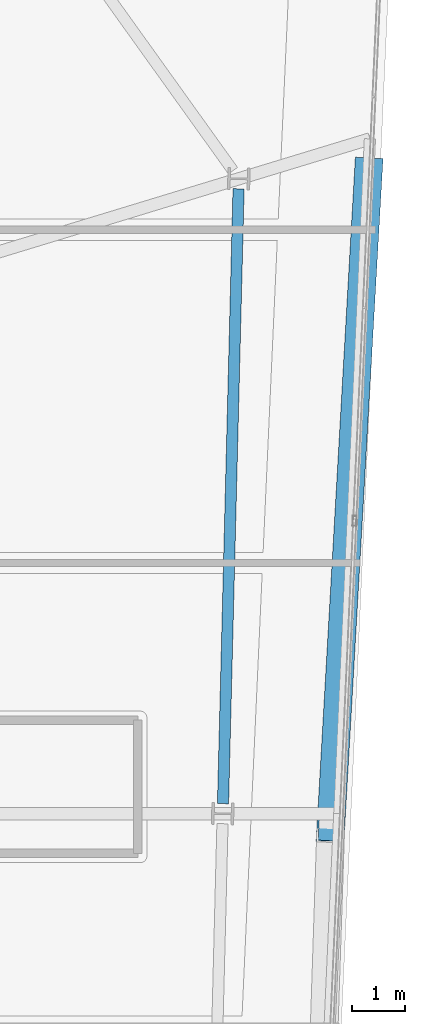
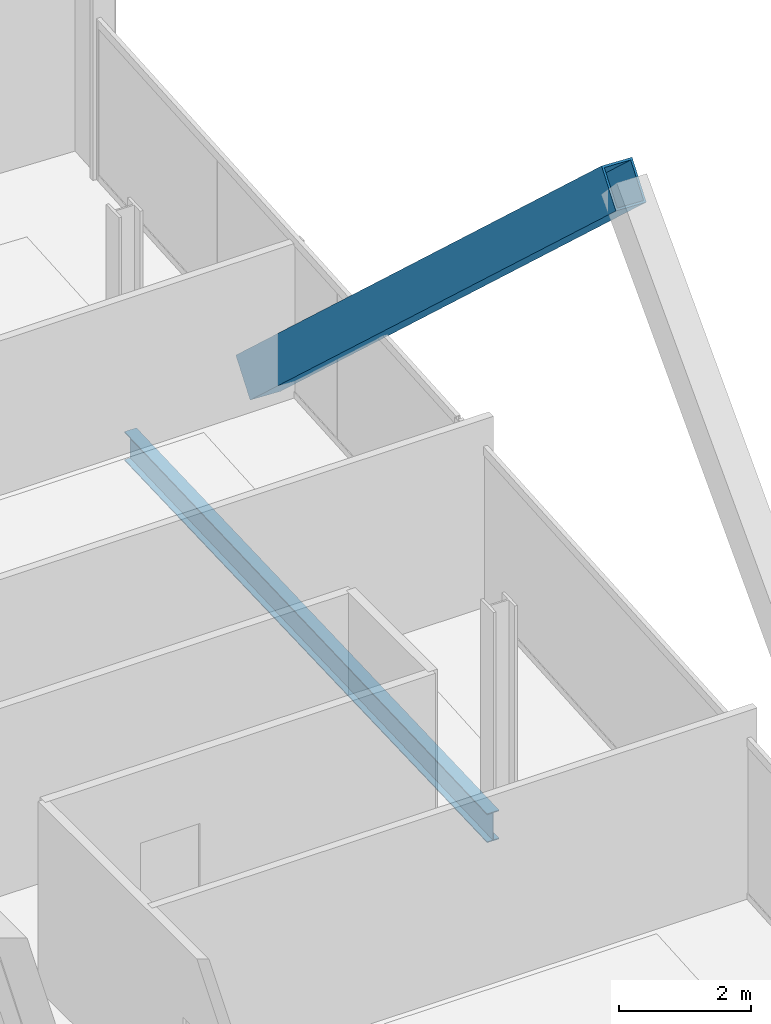
# One storey, part 12 of 26: 1 beam, 1 member.
"""IFC4 building model written with IfcOpenShell, lengths in metres."""

import ifcopenshell
import ifcopenshell.guid

model = None  # the IFC model being written
_history = None  # IfcOwnerHistory: only IFC2X3 demands one
_inside = {}  # id of a spatial element -> (the spatial element, [elements in it])
_under = {}  # id of a project, library or spatial element -> (it, [spatial elements below it])
_declared = {}  # id of a project -> (the project, [libraries it declares])
_typed = {}  # id of a type object -> (the type object, [elements of that type])
_made_of = {}  # id of a material, layer set ... -> (it, [elements and type objects made of it])


def new_model(schema):
    """Start an empty IFC model of exactly this schema.

    Asked for "IFC4X3", IfcOpenShell would pick the latest addendum, in which some entities
    have other attributes; the version numbers below select the first issue.
    IFC2X3 requires an IfcOwnerHistory on every rooted entity: one is made here for all.
    """
    global model, _history
    if schema == "IFC4X3":
        model = ifcopenshell.file(schema_version=(4, 3, 0, 0))
    else:
        model = ifcopenshell.file(schema=schema)
    _inside.clear()
    _under.clear()
    _declared.clear()
    _typed.clear()
    _made_of.clear()
    _history = None
    if model.schema == "IFC2X3":
        org = make("IfcOrganization", Name="unknown")
        user = make(
            "IfcPersonAndOrganization",
            ThePerson=make("IfcPerson", FamilyName="unknown"),
            TheOrganization=org,
        )
        app = make(
            "IfcApplication",
            ApplicationDeveloper=org,
            Version="unknown",
            ApplicationFullName="unknown",
            ApplicationIdentifier="unknown",
        )
        _history = make(
            "IfcOwnerHistory",
            OwningUser=user,
            OwningApplication=app,
            ChangeAction="ADDED",
            CreationDate=0,
        )
    return model


def make(cls, **values):
    """One entity of the class cls with the attributes given. An attribute that is None is left unset."""
    return model.create_entity(
        cls, **{name: value for name, value in values.items() if value is not None}
    )


def rooted(cls, **values):
    """An entity with a GlobalId (a new one), such as an element, a storey or a relation."""
    return make(cls, GlobalId=ifcopenshell.guid.new(), OwnerHistory=_history, **values)


def si_unit(unit_type, name, prefix=None):
    """IfcSIUnit, for example si_unit("LENGTHUNIT", "METRE", prefix="MILLI")."""
    return make("IfcSIUnit", UnitType=unit_type, Prefix=prefix, Name=name)


def assignment(units):
    """IfcUnitAssignment: the units of a project."""
    return None if units is None else make("IfcUnitAssignment", Units=units)


def point(xyz):
    """IfcCartesianPoint."""
    return None if xyz is None else make("IfcCartesianPoint", Coordinates=xyz)


def direction(xyz):
    """IfcDirection."""
    return None if xyz is None else make("IfcDirection", DirectionRatios=xyz)


def frame(location, z_axis=None, x_axis=None):
    """IfcAxis2Placement3D, a coordinate frame: its origin and axes. An axis left out is left unset."""
    return make(
        "IfcAxis2Placement3D",
        Location=point(location),
        Axis=direction(z_axis),
        RefDirection=direction(x_axis),
    )


def frame_2d(location, x_axis=None):
    """IfcAxis2Placement2D, a coordinate frame in the plane: its origin and x axis."""
    return make(
        "IfcAxis2Placement2D", Location=point(location), RefDirection=direction(x_axis)
    )


def origin():
    """The frame at (0, 0, 0) with its axes left unset."""
    return frame((0.0, 0.0, 0.0))


def origin_2d():
    """The frame at (0, 0) in the plane with its x axis left unset."""
    return frame_2d((0.0, 0.0))


def place(relative_to, where):
    """IfcLocalPlacement: puts the frame where relative to a parent placement (None: the world)."""
    return make(
        "IfcLocalPlacement", PlacementRelTo=relative_to, RelativePlacement=where
    )


def context(
    kind, dimensions, precision=None, world=None, true_north=None, identifier=None
):
    """IfcGeometricRepresentationContext, for example the 3D "Model" context."""
    return make(
        "IfcGeometricRepresentationContext",
        ContextIdentifier=identifier,
        ContextType=kind,
        CoordinateSpaceDimension=dimensions,
        Precision=precision,
        WorldCoordinateSystem=world,
        TrueNorth=true_north,
    )


def subcontext(parent, identifier, kind, view, scale=None):
    """IfcGeometricRepresentationSubContext, for example "Body" below "Model"."""
    return make(
        "IfcGeometricRepresentationSubContext",
        ContextIdentifier=identifier,
        ContextType=kind,
        ParentContext=parent,
        TargetScale=scale,
        TargetView=view,
    )


def project(units=None, contexts=None):
    """IfcProject with its units and contexts."""
    return rooted(
        "IfcProject",
        Name="project",
        RepresentationContexts=contexts,
        UnitsInContext=assignment(units),
    )


def spatial(cls, under=None, at=None, **own):
    """A site, building, storey or space (cls), placed at a placement, below another one or the project."""
    s = rooted(cls, ObjectPlacement=at, **own)
    if under is not None:
        _under.setdefault(under.id(), (under, []))[1].append(s)
    return s


def profile(cls, at=None, kind="AREA", **sizes):
    """A parametric profile (cls). Its sizes go by their IFC names, for example OverallWidth=200.0."""
    return make(cls, ProfileType=kind, Position=at, **sizes)


def hollow_rectangle(**sizes):
    """IfcRectangleHollowProfileDef."""
    return profile("IfcRectangleHollowProfileDef", **sizes)


def i_section(**sizes):
    """IfcIShapeProfileDef."""
    return profile("IfcIShapeProfileDef", **sizes)


def extrude(swept, where, along, depth):
    """IfcExtrudedAreaSolid: the profile swept, set in the frame where, extruded along a direction by depth."""
    return make(
        "IfcExtrudedAreaSolid",
        SweptArea=swept,
        Position=where,
        ExtrudedDirection=direction(along),
        Depth=depth,
    )


def shape(context_of_items, identifier, shape_type, items):
    """IfcShapeRepresentation: the items that make up one representation, for example the "Body"."""
    return make(
        "IfcShapeRepresentation",
        ContextOfItems=context_of_items,
        RepresentationIdentifier=identifier,
        RepresentationType=shape_type,
        Items=items,
    )


def material(Name=None, Category=None):
    """IfcMaterial."""
    return make("IfcMaterial", Name=Name, Category=Category)


def material_profile(
    of_material, cross_section, Name=None, Category=None, Priority=None
):
    """IfcMaterialProfile: a cross section and its material."""
    return make(
        "IfcMaterialProfile",
        Name=Name,
        Material=of_material,
        Profile=cross_section,
        Priority=Priority,
        Category=Category,
    )


def profile_set(profiles, Name=None, composite=None):
    """IfcMaterialProfileSet."""
    return make(
        "IfcMaterialProfileSet",
        Name=Name,
        MaterialProfiles=profiles,
        CompositeProfile=composite,
    )


def made_of(thing, what):
    """Note that an element or type object is made of a material, layer set ...; save() writes the relation."""
    if what is not None:
        _made_of.setdefault(what.id(), (what, []))[1].append(thing)
    return thing


def type_object(cls, material=None, **own):
    """A type object (cls), such as IfcWallType, which elements share."""
    return made_of(rooted(cls, **own), material)


def element(
    cls,
    number,
    at=None,
    inside=None,
    cuts=None,
    type_object=None,
    material=None,
    context=None,
    identifier="Body",
    shape_type=None,
    held_by="IfcProductDefinitionShape",
    body=None,
    shapes=None,
    **own,
):
    """One element of the class cls, such as IfcWall. Its Tag is "e" and its number.

    at: its placement. inside: the storey or other place that contains it. cuts: it is an
    opening in that element (IfcRelVoidsElement). A single representation is given by context,
    identifier, shape_type and body (its items); several are given by shapes. held_by: the class
    of the entity that holds the representations. save() writes the other relations.
    """
    e = rooted(cls, Tag="e%d" % number, ObjectPlacement=at, **own)
    if body is not None:
        shapes = [shape(context, identifier, shape_type, body)]
    if shapes is not None:
        e.Representation = make(held_by, Representations=shapes)
    if inside is not None:
        _inside.setdefault(inside.id(), (inside, []))[1].append(e)
    if cuts is not None:
        rooted(
            "IfcRelVoidsElement", RelatingBuildingElement=cuts, RelatedOpeningElement=e
        )
    if type_object is not None:
        _typed.setdefault(type_object.id(), (type_object, []))[1].append(e)
    return made_of(e, material)


def aggregate(whole, parts):
    """IfcRelAggregates: a whole, such as a stair, and the parts it consists of."""
    return rooted("IfcRelAggregates", RelatingObject=whole, RelatedObjects=parts)


def save(model, path):
    """Write the relations noted so far, then the file.

    IfcRelAggregates (storeys below a building ...), IfcRelContainedInSpatialStructure (elements
    in a storey), IfcRelDefinesByType, IfcRelAssociatesMaterial and IfcRelDeclares: one each for
    every whole, place, type object, material and project.
    """
    for whole, parts in _under.values():
        aggregate(whole, parts)
    for where, things in _inside.values():
        rooted(
            "IfcRelContainedInSpatialStructure",
            RelatedElements=things,
            RelatingStructure=where,
        )
    for kind, things in _typed.values():
        rooted("IfcRelDefinesByType", RelatedObjects=things, RelatingType=kind)
    for what, things in _made_of.values():
        rooted("IfcRelAssociatesMaterial", RelatedObjects=things, RelatingMaterial=what)
    for by, libraries in _declared.values():
        rooted("IfcRelDeclares", RelatingContext=by, RelatedDefinitions=libraries)
    model.write(path)


model = new_model("IFC4")

# Units and contexts
model_context = context("Model", 3, precision=1e-05, world=origin(), true_north=direction((0.0, 1.0)))
body_context = subcontext(model_context, "Body", "Model", "MODEL_VIEW")
ifc_project = project(units=[si_unit("LENGTHUNIT", "METRE"), si_unit("AREAUNIT", "SQUARE_METRE"), si_unit("VOLUMEUNIT", "CUBIC_METRE"), si_unit("PLANEANGLEUNIT", "RADIAN"), si_unit("MASSUNIT", "GRAM", prefix="KILO")], contexts=[model_context])

# Site, building, storey
site_placement = place(None, origin())
site = spatial("IfcSite", under=ifc_project, at=site_placement, CompositionType="ELEMENT")
building_placement = place(site_placement, origin())
building = spatial("IfcBuilding", under=site, at=building_placement, Name="Haldenkirk Collegiate Tower", CompositionType="ELEMENT")
storey_placement = place(building_placement, frame((0.0, 0.0, 321.449951171875)))
storey = spatial("IfcBuildingStorey", under=building, at=storey_placement, Name="L81", CompositionType="ELEMENT", Elevation=321.449951171875)

# Beam
ifc_material_1 = material(Name="Steel ASTM A992 Grade 50", Category="steel")
ifc_material_profile_1 = material_profile(ifc_material_1, i_section(OverallWidth=0.2099609375, OverallDepth=0.537109375, WebThickness=0.010986328125, FlangeThickness=0.017333984375, at=origin_2d()), Name="W21X68")
ifc_profile_set_1 = profile_set([ifc_material_profile_1], Name="Steel ASTM A992 Grade 50")
beam_type = type_object("IfcBeamType", Name="BM-SPANDREL-W21X68", PredefinedType="SPANDREL", material=ifc_profile_set_1)
beam_placement = place(storey_placement, frame((55.8984375, 25.684326171875, -0.528564453125), z_axis=(0.025302458902, 0.999679841536, 0.0), x_axis=(-0.999679841536, 0.025302458902, 0.0)))
element("IfcBeam", 1, at=beam_placement, inside=storey, type_object=beam_type, Name="L81 perimeter spandrel beam 03", PredefinedType="SPANDREL", context=body_context, shape_type="SweptSolid", body=[
    extrude(i_section(OverallWidth=0.2099609375, OverallDepth=0.537109375, WebThickness=0.010986328125, FlangeThickness=0.017333984375, at=origin_2d()), origin(), (0.0, 0.0, 1.0), 11.5400390625),
])

# Member
ifc_material_2 = material(Name="Steel ASTM A572 Grade 50", Category="steel")
ifc_material_profile_2 = material_profile(ifc_material_2, hollow_rectangle(XDim=0.52001953125, YDim=0.719970703125, WallThickness=0.035888671875, at=origin_2d()), Name="BOX720X520X36")
ifc_profile_set_2 = profile_set([ifc_material_profile_2], Name="Steel ASTM A572 Grade 50")
member_type = type_object("IfcMemberType", Name="MBR-MEGABRACE-BOX720X520X36", PredefinedType="BRACE", material=ifc_profile_set_2)
member_placement = place(storey_placement, frame((58.627685546875, 37.55810546875, -0.27001953125), z_axis=(-0.042368165266, -0.738654360266, 0.672751569773), x_axis=(0.998359044604, -0.057264457197, 0.0)))
element("IfcMember", 2, at=member_placement, inside=storey, type_object=member_type, Name="Perimeter Mega Brace Z6 L81-L83 SR", PredefinedType="BRACE", context=body_context, shape_type="SweptSolid", body=[
    extrude(hollow_rectangle(XDim=0.52001953125, YDim=0.719970703125, WallThickness=0.035888671875, at=origin_2d()), origin(), (0.0, 0.0, 1.0), 16.722412109375),
])

save(model, "model.ifc")
